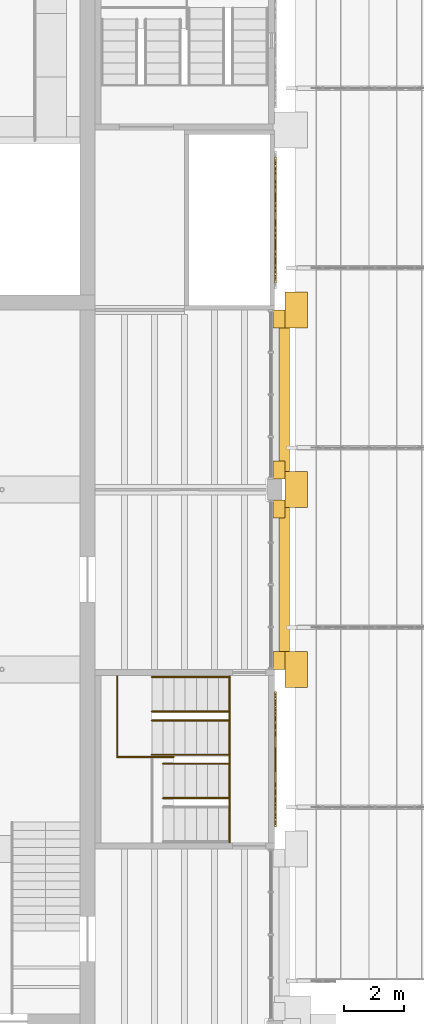
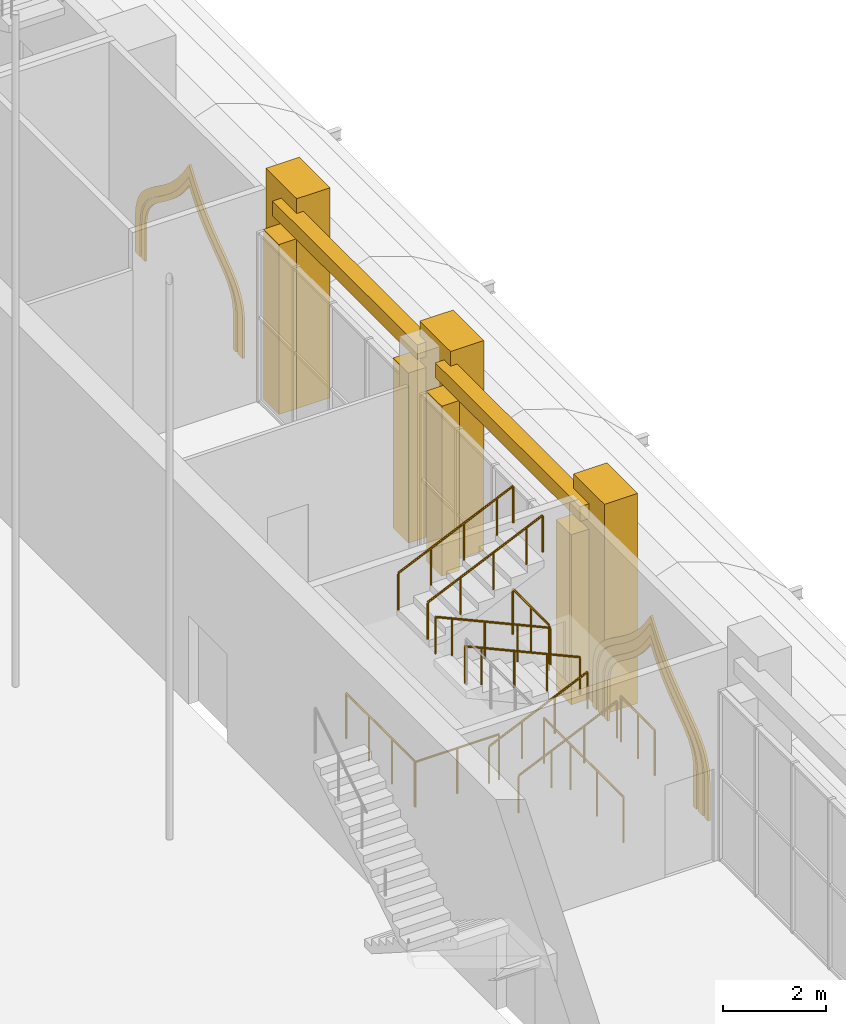
# One storey, part 65 of 80: 14 coverings, 11 railings.
"""IFC4 building model written with IfcOpenShell, lengths in metres."""

from ifc_helpers import new_model, si_unit, direction, frame, origin, origin_2d, place, context, subcontext, project, spatial, polyline, rectangle, circle, outline, extrude, material, layer, layer_set, type_object, element, save


model = new_model("IFC4")

# Units and contexts
model_context = context("Model", 3, precision=1e-05, world=origin(), true_north=direction((0.0, 1.0)))
body_context = subcontext(model_context, "Body", "Model", "MODEL_VIEW")
ifc_project = project(units=[si_unit("LENGTHUNIT", "METRE"), si_unit("AREAUNIT", "SQUARE_METRE"), si_unit("VOLUMEUNIT", "CUBIC_METRE"), si_unit("PLANEANGLEUNIT", "RADIAN"), si_unit("MASSUNIT", "GRAM", prefix="KILO")], contexts=[model_context])

# Site, building, storey
site_placement = place(None, origin())
site = spatial("IfcSite", under=ifc_project, at=site_placement, CompositionType="ELEMENT")
building_placement = place(site_placement, origin())
building = spatial("IfcBuilding", under=site, at=building_placement, Name="Saffron Lane Theatres", CompositionType="ELEMENT")
storey_placement = place(building_placement, frame((0.0, 0.0, 7.0)))
storey = spatial("IfcBuildingStorey", under=building, at=storey_placement, Name="L01", CompositionType="ELEMENT", Elevation=7.0)

# Coverings
ifc_material_1 = material(Name="Masonry sandstone", Category="masonry")
ifc_layer_1 = layer(ifc_material_1, 0.050048828125)
ifc_layer_set_1 = layer_set([ifc_layer_1], Name="Masonry sandstone")
covering_type_1 = type_object("IfcCoveringType", Name="EX-ARCH FRAME RING SANDSTONE 50", PredefinedType="CLADDING", material=ifc_layer_set_1)
covering_1_placement = place(storey_placement, frame((54.0, 37.2099609375, 1.2958984375), z_axis=(-1.0, 0.0, 0.0), x_axis=(0.0, 0.06442827163, 0.997922340573)))
element("IfcCovering", 1, at=covering_1_placement, inside=storey, type_object=covering_type_1, Name="Arch recess ring L01", PredefinedType="CLADDING", context=body_context, shape_type="SweptSolid", body=[
    extrude(outline(polyline([(0.0, 0.0), (0.17052029873114202, 1.734723475976807e-18), (0.3242466721669218, 0.024081254977071236), (0.46344242900309285, 0.06940650212296195), (0.5880131918886352, 0.13451394113409834), (0.7023363221821465, 0.21520657625605405), (0.8097754985831224, 0.31053329351799586), (0.9118316705185227, 0.41721675201932407), (1.013479573024326, 0.5327339305761084), (1.1188295145103184, 0.6563301599259349), (1.228274384393338, 0.786512180648223), (1.3482821771299438, 0.9211498609758806), (1.4813912939168246, 1.0578774753100109), (1.6295508018254126, 1.196569187182587), (1.7967137136804603, 1.3340339934919052), (1.986958878774747, 1.469029958207694), (2.2768445051640707, 1.6467673279258968), (2.012220549731055, 1.8603051727976225), (1.8409137730747478, 2.018643802332316), (1.692815086125706, 2.1764626573449113), (1.563719803123124, 2.333054606794249), (1.4492974018381697, 2.4857634525677375), (1.3475988151994112, 2.6347150311334024), (1.2558025099571002, 2.7778896671794207), (1.167220277835631, 2.914006625097878), (1.0812704747161264, 3.041635563702207), (0.9937798739547866, 3.160556618719107), (0.8994906084625739, 3.2689074104217855), (0.7964927602914423, 3.3636308117286897), (0.6813282733908765, 3.4442161363070785), (0.5491164405301731, 3.5070641116256507), (0.39976288435831203, 3.550712937380834), (0.2306582458924675, 3.5726399419344412), (-0.6634762731268586, 3.630367421641571), (-0.6712152159104848, 3.510499796748517), (0.21902116896597779, 3.4530239899774404), (0.37503252293367106, 3.4329209151187268), (0.50685251501477, 3.394318481277149), (0.6205328306841129, 3.340006413039703), (0.7222114932154338, 3.270322371595594), (0.8140812030640937, 3.185124790918292), (0.8998751087815435, 3.0853958945498916), (0.9836171809786733, 2.9728330766257725), (1.06683213819307, 2.84831649333063), (1.1541962033948943, 2.712278183204689), (1.248122290858553, 2.5679874475964257), (1.3515811898667036, 2.415986431955586), (1.4686755188227527, 2.2591906973371945), (1.6025567821592739, 2.097152126096779), (1.7564159829779704, 1.933823731059093), (1.9331924514444936, 1.7692603909060247), (2.069268862056587, 1.6601689117707128), (1.9202942134717833, 1.569481016084268), (1.723824337759122, 1.4290153595582635), (1.5502402705772806, 1.2868274911490194), (1.396634140877615, 1.143349798942504), (1.2603497505475334, 1.0029128051675502), (1.1382041360374564, 0.8654773607007713), (1.0265036474650626, 0.734462372469297), (0.9223718728987153, 0.6107874953269541), (0.8238363257020991, 0.4980051626752776), (0.7263151602560739, 0.39714513627761755), (0.6284094944910791, 0.3092763270207095), (0.5263470307322774, 0.23659947491203817), (0.41655191601325103, 0.1805686902487979), (0.29683144987863896, 0.14132553905751855), (0.16114198640572697, 0.11999416045256957), (0.0038408086407626125, 0.12011929782910696), (-0.8863955762357, 0.17759510460018418), (-0.8941345190193262, 0.057727479707130096), (0.0, 0.0)])), origin(), (0.0, 0.0, -1.0), 0.050048828125),
])
covering_2_placement = place(storey_placement, frame((54.0, 36.949951171875, 1.297119140625), z_axis=(-1.0, 0.0, 0.0), x_axis=(0.0, 0.067277250526, 0.997734319126)))
element("IfcCovering", 2, at=covering_2_placement, inside=storey, type_object=covering_type_1, Name="Arch recess ring L01", PredefinedType="CLADDING", context=body_context, shape_type="SweptSolid", body=[
    extrude(outline(polyline([(0.0, 0.0), (0.19233029031026627, -1.734723475976807e-18), (0.3686361813310119, 0.027262893416721473), (0.5275519096710343, 0.07967851847782519), (0.6708947742924419, 0.15516677446133414), (0.801502910238719, 0.24864238533224844), (0.9231258912040249, 0.3576502620084015), (1.0375317408204932, 0.47937954132705035), (1.1516202449156105, 0.6109180202958803), (1.2681994774824994, 0.7503634852332024), (1.390304674884545, 0.8955537098670809), (1.5227911616168623, 1.045916604517425), (1.6694413615935944, 1.199484255062579), (1.8330304985878798, 1.3538672728603438), (2.016903096883326, 1.5078613564498122), (2.2254737921748915, 1.6579877914978223), (2.5852450627263814, 1.8803809916168035), (2.258586813918305, 2.1490601516926007), (2.0721243166756658, 2.326802465068287), (1.9105241675290636, 2.5031130047050683), (1.7691417792436548, 2.6780602602125323), (1.6444355262159311, 2.849925483288521), (1.5333345326929018, 3.016713487930638), (1.4318264232205393, 3.1769819635369636), (1.3350887235237119, 3.3317901747481), (1.2396262941592646, 3.4764798983888334), (1.142598210914092, 3.6124661731803407), (1.0367104853209044, 3.7368151025888094), (0.9198337413277493, 3.846978625211365), (0.7879227532606154, 3.941027255485577), (0.6374823816763479, 4.014302770236232), (0.4664325258529695, 4.064987870501222), (0.27584329720183115, 4.090808143408288), (-0.619340692736567, 4.151170422628053), (-0.632792857819829, 3.951672276298924), (0.2563014451121856, 3.8917206248289538), (0.4241248514992556, 3.8693930121031563), (0.5646332999700076, 3.8266400003332506), (0.6859993674224233, 3.7685384980453724), (0.7931577147319555, 3.6920641156468856), (0.8911443426036292, 3.5993242257405083), (0.9838402256115377, 3.4898124390861174), (1.0746555884792561, 3.363298804143827), (1.16632195798919, 3.224003644458316), (1.2624602961251856, 3.071193408419198), (1.3657200041196895, 2.9078704821698738), (1.480373470016977, 2.735704338682526), (1.6104494943810679, 2.55638087603933), (1.7586139035544, 2.3731460678639413), (1.9292841224015533, 2.1861914371370204), (2.126083902075996, 1.9984536695620012), (2.2420303030465982, 1.9035239715952113), (2.114389223761854, 1.8250193836201942), (1.8941672372391434, 1.6654014043510899), (1.6999434106637878, 1.5030515883918443), (1.5285210457421055, 1.3413665245256619), (1.3755484180494837, 1.1811290396929053), (1.2388196043232536, 1.0259136097170671), (1.1145686057592639, 0.8779317362000586), (0.9987858360731082, 0.7394113458537825), (0.8892489468921257, 0.6136833270214762), (0.7822712757925029, 0.5005068813925057), (0.6757125999515381, 0.40443083471138436), (0.5661626946456565, 0.32568513851799763), (0.4497077350807808, 0.2642890070919583), (0.3216402227517218, 0.22300681743565523), (0.17674626991316658, 0.20072197197738367), (0.0073624780768782, 0.19990877407892305), (-0.8817318248551363, 0.2598604255488935), (-0.8951839899383982, 0.06036227921976477), (0.0, 0.0)])), origin(), (0.0, 0.0, -1.0), 0.050048828125),
])
covering_3_placement = place(storey_placement, frame((54.0, 36.75, 1.2958984375), z_axis=(-1.0, 0.0, 0.0), x_axis=(0.0, 0.067065646472, 0.997748565052)))
element("IfcCovering", 3, at=covering_3_placement, inside=storey, type_object=covering_type_1, Name="Arch recess ring L01", PredefinedType="CLADDING", context=body_context, shape_type="SweptSolid", body=[
    extrude(outline(polyline([(0.0, 0.0), (0.2074984191926236, -1.734723475976807e-18), (0.39502209255405735, 0.030460934429599087), (0.5642577725688886, 0.08735436036579791), (0.717006825863624, 0.16835697159344967), (0.8571974438937694, 0.27002373702473836), (0.9873453927117799, 0.38973863913971574), (1.112807662625058, 0.5234712242409627), (1.2368962863562354, 0.6695307182950527), (1.364579312989259, 0.8253809602518462), (1.4999159215703994, 0.9895256466896439), (1.6475487029811116, 1.1582270352158286), (1.809442758336358, 1.3315977291979), (1.9914586333089161, 1.5058181189990125), (2.196681143111999, 1.6794573949928495), (2.42863316452881, 1.85032122778061), (2.776077461779361, 2.068477613157778), (2.4609543525500626, 2.3311697793950295), (2.253955467173975, 2.531538567002596), (2.073817081002381, 2.7310806390702025), (1.9167543420705462, 2.928092869664417), (1.7795187006768023, 3.1215701588289084), (1.655791154580694, 3.3085115693691134), (1.54363934956495, 3.48929167983406), (1.4379622381804387, 3.6608276857849567), (1.334536906892433, 3.8221799810608545), (1.2281005845377642, 3.971500089463132), (1.1151447570076538, 4.107555693526036), (0.9898212305293306, 4.22706951819905), (0.8492867700734272, 4.327785761836828), (0.6892529683098338, 4.407790454445362), (0.5074272551466756, 4.462099173491861), (0.3017954091224526, 4.4898685427340315), (-0.5921834077088134, 4.549959099997454), (-0.6015653938973532, 4.410381480911809), (0.2885159676016784, 4.350552898829917), (0.4771455668939128, 4.324660443881734), (0.6383663000720692, 4.276875251559516), (0.7770827331991319, 4.207357034802879), (0.9003937617368865, 4.119788383334645), (1.0125694087921775, 4.012169438367741), (1.1171836822691663, 3.886706881200974), (1.2179231934395136, 3.74364229201819), (1.3196781456917779, 3.586562030623556), (1.4243808932432305, 3.4150915184680417), (1.538415932129709, 3.233206056579271), (1.6638302307104045, 3.0422362031160675), (1.804928569764272, 2.844339519030701), (1.9667137560473695, 2.6411372630123773), (2.1531978590338507, 2.434072596587418), (2.367842283260377, 2.2273173021695953), (2.5385762774713267, 2.0844417257822565), (2.350257199200182, 1.9657006129933607), (2.109873713388342, 1.789530921019154), (1.8973558267373267, 1.6092859638033192), (1.7098315788689158, 1.4295632334296131), (1.5435181285927948, 1.2523298417874182), (1.3936746443344354, 1.0798619855197642), (1.2563238142917952, 0.9148739228396727), (1.1296151514918304, 0.7589581870874968), (1.0077536040571458, 0.616908751733141), (0.8888395646681613, 0.4895873772421637), (0.7683102989132307, 0.3782795229756905), (0.6428066644976057, 0.2876154279151693), (0.5088201473125074, 0.216362774594851), (0.3620479773534, 0.1660342398852799), (0.1958824626238666, 0.14025496281157382), (0.005484530856305384, 0.13983959426717443), (-0.8845968306427262, 0.19966817634906692), (-0.893978816831266, 0.06009055726342237), (0.0, 0.0)])), origin(), (0.0, 0.0, -1.0), 0.050048828125),
])
covering_4_placement = place(storey_placement, frame((54.0, 55.159912109375, 1.236083984375), z_axis=(-1.0, 0.0, 0.0), x_axis=(0.0, 0.070052199931, 0.997543327021)))
element("IfcCovering", 4, at=covering_4_placement, inside=storey, type_object=covering_type_1, Name="Arch recess ring L01", PredefinedType="CLADDING", context=body_context, shape_type="SweptSolid", body=[
    extrude(outline(polyline([(0.0, 0.0), (0.17425621553607237, 0.0), (0.3332302426515908, 0.02285521433109288), (0.4759650205291351, 0.0688775941960976), (0.6048658571272827, 0.13398235750722476), (0.7227868323104211, 0.21699010980469396), (0.8338893477600147, 0.31442697343956955), (0.9399164992321657, 0.42323363749297804), (1.0443845787937367, 0.5412052363362231), (1.1527198955253422, 0.6689396764413744), (1.2672593470340636, 0.8013780123153483), (1.392194435556024, 0.9389601225182602), (1.5283625037935262, 1.0796692698880261), (1.682706518319837, 1.2213046934170395), (1.855786075810189, 1.3613796768284432), (2.0520191167641535, 1.500073455243155), (2.349264146322142, 1.679643102779874), (2.0800331557015133, 1.8989933697111585), (1.9051099392383608, 2.0637514920456117), (1.7533060010630737, 2.226641327680726), (1.620271811027575, 2.388457804900878), (1.5051057206991554, 2.5468168229564525), (1.400625327274315, 2.700509570936527), (1.3057196466447687, 2.847656132382009), (1.216299792101637, 2.9892778738407233), (1.1293447625228843, 3.1206921067528115), (1.0395650695308871, 3.243249251456792), (0.943170779652801, 3.3552575199601846), (0.8380083350235519, 3.4539312427500968), (0.719471666676955, 3.536412235341052), (0.5845698740456321, 3.6019315653822406), (0.4303503663590429, 3.6467807077190995), (0.25780440961035506, 3.6711347928514564), (-0.5763230061728635, 3.729711156319379), (-0.5847374794067958, 3.609889057468184), (0.2452497419039222, 3.5516034379941166), (0.40521708732315365, 3.5293563916878177), (0.5407140500124862, 3.489737904826296), (0.6590468555116269, 3.4322348997733356), (0.7621426234222006, 3.359893689481027), (0.8572904766960407, 3.27195765546183), (0.9453065508264871, 3.169593194208742), (1.0303310402860402, 3.052509561727907), (1.1164487271624894, 2.923112065977903), (1.2047876981519938, 2.7835241642691466), (1.3007742623351675, 2.634343763073707), (1.40699775151611, 2.477591704174759), (1.5257697514718511, 2.314818850240701), (1.6623585433710502, 2.147857914588097), (1.820066978983904, 1.9784348903851734), (2.0004931241213453, 1.8083954889152767), (2.1417673409944626, 1.6942145076483908), (1.9859217192528282, 1.6008986835875971), (1.7835016461096211, 1.457744550255386), (1.6036624617880104, 1.3120257128456134), (1.4450797418830457, 1.1657931136961102), (1.3047242760305109, 1.021217413259825), (1.177635629643476, 0.8808496335440211), (1.0617416531751458, 0.7465484837988279), (0.9547608614031491, 0.6206768575648959), (0.851403765949863, 0.5045851751807439), (0.750918537052353, 0.4015078780650739), (0.6493914185015683, 0.3114750667725437), (0.5428874468794945, 0.23769997551289157), (0.4306931022200347, 0.18047745290106257), (0.3054850563956079, 0.14007703572194855), (0.1657808570893092, 0.11978447315787275), (0.0042742787614316, 0.12011284284505058), (-0.8257129425492863, 0.17839846231911785), (-0.8341274157832186, 0.05857636346792266), (0.0, 0.0)])), origin(), (0.0, 0.0, -1.0), 0.050048828125),
])
covering_5_placement = place(storey_placement, frame((54.0, 54.89990234375, 1.237060546875), z_axis=(-1.0, 0.0, 0.0), x_axis=(0.0, 0.066765192838, 0.997768715197)))
element("IfcCovering", 5, at=covering_5_placement, inside=storey, type_object=covering_type_1, Name="Arch recess ring L01", PredefinedType="CLADDING", context=body_context, shape_type="SweptSolid", body=[
    extrude(outline(polyline([(0.0, 0.0), (0.19746207851001016, 1.734723475976807e-18), (0.37770038901075476, 0.02782335815376883), (0.5406334310226948, 0.08225209507263866), (0.6871694821122494, 0.15857638860013262), (0.8208483797740672, 0.25484656615349843), (0.9445760688841597, 0.3669531924421973), (1.0629962656544885, 0.4911599232598029), (1.1794215117978764, 0.6257769819972044), (1.2991131160490152, 0.7689841912780281), (1.4244092366097936, 0.9191569748767947), (1.5600024899798968, 1.0732897762202782), (1.7109757893999142, 1.2305531015389473), (1.877913221639876, 1.3887056876454766), (2.0678301668663317, 1.5465440441253384), (2.2815380076311382, 1.7015670118175659), (2.6475457945106817, 1.9276348530849203), (2.314920604050358, 2.200451369415909), (2.1237720960219777, 2.3825650965069367), (1.9565774844910262, 2.564299393587666), (1.8121993849874904, 2.7432835022643918), (1.683524616769374, 2.9192593376852414), (1.5696756913403056, 3.090083437238335), (1.4655044950760647, 3.25561091118227), (1.3659598093669945, 3.4134882067801335), (1.2685078748603114, 3.562416749724603), (1.1676917816704306, 3.7012935668592486), (1.0600033869336354, 3.8288852842603784), (0.9403425717525447, 3.94210756155788), (0.8052817881820971, 4.037274765954816), (0.651052997384934, 4.11292622774567), (0.4761285181501395, 4.164515125733044), (0.28042684999817413, 4.19082348052827), (-0.5548634147502236, 4.246716509396192), (-0.5682294933946379, 4.046967889654668), (0.2609708744104207, 3.9914823631844407), (0.43385603053497, 3.9679241967932186), (0.5783002359830207, 3.925226095562678), (0.7024725554870431, 3.8647989233497295), (0.8134372695013108, 3.7861699773730466), (0.9145078252995301, 3.691319719285429), (1.0102310440791, 3.5787204678759603), (1.1035952767564547, 3.449151005504681), (1.1972483833557312, 3.3056150776230497), (1.2961111817193247, 3.14851746994611), (1.4021170443340791, 2.9811544240907772), (1.5195212017928204, 2.804954009570754), (1.6525951847842812, 2.621587891777475), (1.8054484285990007, 2.4339620155869515), (1.9810692841534128, 2.242855163359225), (2.182820099008948, 2.0509785843802946), (2.3043192027840873, 1.9506016882190418), (2.170595027078081, 1.8682816760801206), (1.9450134720053098, 1.7040210818125767), (1.7455618762336615, 1.5389907607938302), (1.5690082929689688, 1.3724282307597486), (1.4126903732129532, 1.2084266269049622), (1.2728572837850487, 1.049439113663599), (1.1454982955310469, 0.8976915596879602), (1.0265863792008323, 0.7551662377526137), (0.9146445649929791, 0.6253875908171842), (0.8048498356405397, 0.5094124084330287), (0.69497813361298, 0.41057043796976217), (0.5821715087611286, 0.33003166408921236), (0.4617201389285084, 0.26688780922496025), (0.3306039785677537, 0.22354313752340954), (0.18175874722459093, 0.20047035176588712), (0.007276181701075103, 0.20015612213921966), (-0.8219241861039834, 0.2556416486094466), (-0.8352902647483977, 0.05589302886792252), (0.0, 0.0)])), origin(), (0.0, 0.0, -1.0), 0.050048828125),
])
ifc_material_2 = material(Name="Masonry sandstone", Category="masonry")
ifc_layer_2 = layer(ifc_material_2, 1.199951171875)
ifc_layer_set_2 = layer_set([ifc_layer_2], Name="Masonry sandstone")
covering_type_2 = type_object("IfcCoveringType", Name="EX-FLANK BUTTRESS PIER SANDSTONE 1200", PredefinedType="CLADDING", material=ifc_layer_set_2)
for number, where, z_axis, x_axis, name in (
    (6, (54.72509765625, 42.0, 0.0), (0.0, 0.0, 1.0), (0.0, 1.0, 0.0), "Flank buttress east L01"),
    (7, (54.72509765625, 48.0, 0.0), (0.0, 0.0, 1.0), (0.0, 1.0, 0.0), "Flank buttress east L01"),
    (8, (54.72509765625, 54.0, 0.0), (0.0, 0.0, 1.0), (0.0, 1.0, 0.0), "Flank buttress east L01"),
):
    element("IfcCovering", number, at=place(storey_placement, frame(where, z_axis=z_axis, x_axis=x_axis)), inside=storey, type_object=covering_type_2, Name=name, PredefinedType="CLADDING", context=body_context, shape_type="SweptSolid", body=[
        extrude(rectangle(XDim=1.199951171875, YDim=0.75, at=origin_2d()), origin(), (0.0, 0.0, 1.0), 5.0),
    ])
ifc_material_3 = material(Name="Masonry sandstone", Category="masonry")
ifc_layer_3 = layer(ifc_material_3, 0.39990234375)
ifc_layer_set_3 = layer_set([ifc_layer_3], Name="Masonry sandstone")
covering_type_3 = type_object("IfcCoveringType", Name="EX-PILASTER PIER SANDSTONE 400", PredefinedType="CLADDING", material=ifc_layer_set_3)
for number, where, z_axis, x_axis, name in (
    (9, (54.14990234375, 53.699951171875, 0.0), (0.0, 0.0, 1.0), (0.0, -1.0, 0.0), "Pilaster pier L01"),
    (10, (54.14990234375, 48.64990234375, 0.0), (0.0, 0.0, 1.0), (0.0, -1.0, 0.0), "Pilaster pier L01"),
    (11, (54.14990234375, 47.35009765625, 0.0), (0.0, 0.0, 1.0), (0.0, -1.0, 0.0), "Pilaster pier L01"),
    (12, (54.14990234375, 42.300048828125, 0.0), (0.0, 0.0, 1.0), (0.0, -1.0, 0.0), "Pilaster pier L01"),
):
    element("IfcCovering", number, at=place(storey_placement, frame(where, z_axis=z_axis, x_axis=x_axis)), inside=storey, type_object=covering_type_3, Name=name, PredefinedType="CLADDING", context=body_context, shape_type="SweptSolid", body=[
        extrude(rectangle(XDim=0.60009765625, YDim=0.39990234375, at=origin_2d()), origin(), (0.0, 0.0, 1.0), 4.050048828125),
    ])
ifc_material_4 = material(Name="Masonry sandstone", Category="masonry")
ifc_layer_4 = layer(ifc_material_4, 0.300048828125)
ifc_layer_set_4 = layer_set([ifc_layer_4], Name="Masonry sandstone")
covering_type_4 = type_object("IfcCoveringType", Name="EX-STRING COURSE SANDSTONE 350", PredefinedType="CLADDING", material=ifc_layer_set_4)
for number, where, z_axis, x_axis, name in (
    (13, (54.324951171875, 51.175048828125, 4.300048828125), (0.0, 0.0, 1.0), (0.0, -1.0, 0.0), "String course L01"),
    (14, (54.324951171875, 44.824951171875, 4.300048828125), (0.0, 0.0, 1.0), (0.0, -1.0, 0.0), "String course L01"),
):
    element("IfcCovering", number, at=place(storey_placement, frame(where, z_axis=z_axis, x_axis=x_axis)), inside=storey, type_object=covering_type_4, Name=name, PredefinedType="CLADDING", context=body_context, shape_type="SweptSolid", body=[
        extrude(rectangle(XDim=5.64990234375, YDim=0.35009765625, at=origin_2d()), origin(), (0.0, 0.0, 1.0), 0.35009765625),
    ])

# Railings
ifc_material_5 = material(Name="Steel Grade 350", Category="steel")
railing_type_1 = type_object("IfcRailingType", Name="VC-GUARD 1100", PredefinedType="GUARDRAIL", material=ifc_material_5)
railing_1_placement = place(storey_placement, frame((48.75, 39.10009765625, 1.166748046875)))
element("IfcRailing", 15, at=railing_1_placement, inside=storey, type_object=railing_type_1, Name="Stage East Stair landing guard 2N1s", PredefinedType="GUARDRAIL", context=body_context, shape_type="SweptSolid", body=[
    extrude(circle(Radius=0.02392578125, at=origin_2d()), frame((0.0, 0.0, 1.076171875), z_axis=(0.0, 1.0, 0.0), x_axis=(-1.0, 0.0, 0.0)), (0.0, 0.0, 1.0), 2.669921875),
    extrude(circle(Radius=0.02099609375, at=origin_2d()), origin(), (0.0, 0.0, 1.0), 1.052001953125),
    extrude(circle(Radius=0.02099609375, at=origin_2d()), frame((0.0, 0.889892578125, 0.0)), (0.0, 0.0, 1.0), 1.052001953125),
    extrude(circle(Radius=0.02099609375, at=origin_2d()), frame((0.0, 1.780029296875, 0.0)), (0.0, 0.0, 1.0), 1.052001953125),
    extrude(circle(Radius=0.02099609375, at=origin_2d()), frame((0.0, 2.669921875, 0.0)), (0.0, 0.0, 1.0), 1.052001953125),
])
railing_2_placement = place(storey_placement, frame((50.6298828125, 39.070068359375, 1.166748046875)))
element("IfcRailing", 16, at=railing_2_placement, inside=storey, type_object=railing_type_1, Name="Stage East Stair landing guard 2N1e", PredefinedType="GUARDRAIL", context=body_context, shape_type="SweptSolid", body=[
    extrude(circle(Radius=0.02392578125, at=origin_2d()), frame((0.0, 0.0, 1.076171875), z_axis=(-1.0, 0.0, 0.0), x_axis=(0.0, -1.0, 0.0)), (0.0, 0.0, 1.0), 1.8798828125),
    extrude(circle(Radius=0.02099609375, at=origin_2d()), origin(), (0.0, 0.0, 1.0), 1.052001953125),
    extrude(circle(Radius=0.02099609375, at=origin_2d()), frame((-0.93994140625, 0.0, 0.0)), (0.0, 0.0, 1.0), 1.052001953125),
    extrude(circle(Radius=0.02099609375, at=origin_2d()), frame((-1.8798828125, 0.0, 0.0)), (0.0, 0.0, 1.0), 1.052001953125),
])
railing_3_placement = place(storey_placement, frame((52.5, 36.22998046875, 2.333251953125)))
element("IfcRailing", 17, at=railing_3_placement, inside=storey, type_object=railing_type_1, Name="Stage East Stair landing guard 2S2w", PredefinedType="GUARDRAIL", context=body_context, shape_type="SweptSolid", body=[
    extrude(circle(Radius=0.02392578125, at=origin_2d()), frame((0.0, 0.0, 1.076171875), z_axis=(0.0, 1.0, 0.0), x_axis=(-1.0, 0.0, 0.0)), (0.0, 0.0, 1.0), 1.320068359375),
    extrude(circle(Radius=0.02099609375, at=origin_2d()), origin(), (0.0, 0.0, 1.0), 1.052001953125),
    extrude(circle(Radius=0.02099609375, at=origin_2d()), frame((0.0, 0.66015625, 0.0)), (0.0, 0.0, 1.0), 1.052001953125),
    extrude(circle(Radius=0.02099609375, at=origin_2d()), frame((0.0, 1.320068359375, 0.0)), (0.0, 0.0, 1.0), 1.052001953125),
])
railing_4_placement = place(storey_placement, frame((52.5, 40.35009765625, 2.333251953125)))
element("IfcRailing", 18, at=railing_4_placement, inside=storey, type_object=railing_type_1, Name="Stage East Stair landing guard 2S2e", PredefinedType="GUARDRAIL", context=body_context, shape_type="SweptSolid", body=[
    extrude(circle(Radius=0.02392578125, at=origin_2d()), frame((0.0, 0.0, 1.076171875), z_axis=(0.0, 1.0, 0.0), x_axis=(-1.0, 0.0, 0.0)), (0.0, 0.0, 1.0), 1.419921875),
    extrude(circle(Radius=0.02099609375, at=origin_2d()), origin(), (0.0, 0.0, 1.0), 1.052001953125),
    extrude(circle(Radius=0.02099609375, at=origin_2d()), frame((0.0, 0.7099609375, 0.0)), (0.0, 0.0, 1.0), 1.052001953125),
    extrude(circle(Radius=0.02099609375, at=origin_2d()), frame((0.0, 1.419921875, 0.0)), (0.0, 0.0, 1.0), 1.052001953125),
])
railing_5_placement = place(storey_placement, frame((52.5, 37.449951171875, 0.0)))
element("IfcRailing", 19, at=railing_5_placement, inside=storey, type_object=railing_type_1, Name="Stage East Stair guard L01", PredefinedType="GUARDRAIL", context=body_context, shape_type="SweptSolid", body=[
    extrude(circle(Radius=0.02392578125, at=origin_2d()), frame((0.0, 0.0, 1.076171875), z_axis=(0.0, 1.0, 0.0), x_axis=(-1.0, 0.0, 0.0)), (0.0, 0.0, 1.0), 3.10009765625),
    extrude(circle(Radius=0.02099609375, at=origin_2d()), origin(), (0.0, 0.0, 1.0), 1.052001953125),
    extrude(circle(Radius=0.02099609375, at=origin_2d()), frame((0.0, 1.033447265625, 0.0)), (0.0, 0.0, 1.0), 1.052001953125),
    extrude(circle(Radius=0.02099609375, at=origin_2d()), frame((0.0, 2.066650390625, 0.0)), (0.0, 0.0, 1.0), 1.052001953125),
    extrude(circle(Radius=0.02099609375, at=origin_2d()), frame((0.0, 3.10009765625, 0.0)), (0.0, 0.0, 1.0), 1.052001953125),
])
ifc_material_6 = material(Name="Steel Grade 350", Category="steel")
railing_type_2 = type_object("IfcRailingType", Name="VC-HANDRAIL 900", PredefinedType="HANDRAIL", material=ifc_material_6)
for number, where, name in (
    (20, (50.280029296875, 37.699951171875, 1.333251953125), "Stage East Stair handrail 2.2a"),
    (21, (50.280029296875, 38.85009765625, 1.333251953125), "Stage East Stair handrail 2.2b"),
):
    element("IfcRailing", number, at=place(storey_placement, frame(where)), inside=storey, type_object=railing_type_2, Name=name, PredefinedType="HANDRAIL", context=body_context, shape_type="SweptSolid", body=[
        extrude(circle(Radius=0.02392578125, at=origin_2d()), frame((0.0, 0.0, 0.8759765625), z_axis=(0.911690610408, 0.0, 0.410877391559), x_axis=(0.0, 1.0, 0.0)), (0.0, 0.0, 1.0), 0.811767578125),
        extrude(circle(Radius=0.02392578125, at=origin_2d()), frame((0.739990234375, 0.0, 1.20947265625), z_axis=(0.911803263409, 0.0, 0.410627335715), x_axis=(0.0, 1.0, 0.0)), (0.0, 0.0, 1.0), 0.8115234375),
        extrude(circle(Radius=0.02392578125, at=origin_2d()), frame((1.47998046875, 0.0, 1.54248046875), z_axis=(0.911803263409, 0.0, 0.410627335715), x_axis=(0.0, 1.0, 0.0)), (0.0, 0.0, 1.0), 0.8115234375),
        extrude(circle(Radius=0.02099609375, at=origin_2d()), origin(), (0.0, 0.0, 1.0), 0.851806640625),
        extrude(circle(Radius=0.02099609375, at=origin_2d()), frame((0.739990234375, 0.0, 0.33349609375)), (0.0, 0.0, 1.0), 0.851806640625),
        extrude(circle(Radius=0.02099609375, at=origin_2d()), frame((1.47998046875, 0.0, 0.666748046875)), (0.0, 0.0, 1.0), 0.851806640625),
        extrude(circle(Radius=0.02099609375, at=origin_2d()), frame((2.219970703125, 0.0, 1.0)), (0.0, 0.0, 1.0), 0.851806640625),
    ])
for number, where, name in (
    (22, (52.5, 39.14990234375, 2.5), "Stage East Stair handrail 2.3a"),
    (23, (52.5, 40.300048828125, 2.5), "Stage East Stair handrail 2.3b"),
):
    element("IfcRailing", number, at=place(storey_placement, frame(where)), inside=storey, type_object=railing_type_2, Name=name, PredefinedType="HANDRAIL", context=body_context, shape_type="SweptSolid", body=[
        extrude(circle(Radius=0.02392578125, at=origin_2d()), frame((0.0, 0.0, 0.8759765625), z_axis=(-0.911803263409, 0.0, 0.410627335715), x_axis=(0.0, -1.0, 0.0)), (0.0, 0.0, 1.0), 0.8115234375),
        extrude(circle(Radius=0.02392578125, at=origin_2d()), frame((-0.739990234375, 0.0, 1.208984375), z_axis=(-0.911690610408, 0.0, 0.410877391559), x_axis=(0.0, -1.0, 0.0)), (0.0, 0.0, 1.0), 0.811767578125),
        extrude(circle(Radius=0.02392578125, at=origin_2d()), frame((-1.47998046875, 0.0, 1.54248046875), z_axis=(-0.911803263409, 0.0, 0.410627335715), x_axis=(0.0, -1.0, 0.0)), (0.0, 0.0, 1.0), 0.8115234375),
        extrude(circle(Radius=0.02392578125, at=origin_2d()), frame((-2.219970703125, 0.0, 1.8759765625), z_axis=(-0.911741368748, 0.0, 0.410764745947), x_axis=(0.0, -1.0, 0.0)), (0.0, 0.0, 1.0), 0.406005859375),
        extrude(circle(Radius=0.02099609375, at=origin_2d()), origin(), (0.0, 0.0, 1.0), 0.851806640625),
        extrude(circle(Radius=0.02099609375, at=origin_2d()), frame((-0.739990234375, 0.0, 0.333251953125)), (0.0, 0.0, 1.0), 0.851806640625),
        extrude(circle(Radius=0.02099609375, at=origin_2d()), frame((-1.47998046875, 0.0, 0.666748046875)), (0.0, 0.0, 1.0), 0.851806640625),
        extrude(circle(Radius=0.02099609375, at=origin_2d()), frame((-2.219970703125, 0.0, 1.0)), (0.0, 0.0, 1.0), 0.851806640625),
        extrude(circle(Radius=0.02099609375, at=origin_2d()), frame((-2.590087890625, 0.0, 1.166748046875)), (0.0, 0.0, 1.0), 0.851806640625),
    ])
for number, where, name in (
    (24, (49.909912109375, 40.60009765625, 3.833251953125), "Stage East Stair handrail 2.4a"),
    (25, (49.909912109375, 41.75, 3.833251953125), "Stage East Stair handrail 2.4b"),
):
    element("IfcRailing", number, at=place(storey_placement, frame(where)), inside=storey, type_object=railing_type_2, Name=name, PredefinedType="HANDRAIL", context=body_context, shape_type="SweptSolid", body=[
        extrude(circle(Radius=0.02392578125, at=origin_2d()), frame((0.0, 0.0, 0.8759765625), z_axis=(0.911690610408, 0.0, 0.410877391559), x_axis=(0.0, 1.0, 0.0)), (0.0, 0.0, 1.0), 0.811767578125),
        extrude(circle(Radius=0.02392578125, at=origin_2d()), frame((0.739990234375, 0.0, 1.20947265625), z_axis=(0.911803263409, 0.0, 0.410627335715), x_axis=(0.0, 1.0, 0.0)), (0.0, 0.0, 1.0), 0.8115234375),
        extrude(circle(Radius=0.02392578125, at=origin_2d()), frame((1.47998046875, 0.0, 1.54248046875), z_axis=(0.911803263409, 0.0, 0.410627335715), x_axis=(0.0, 1.0, 0.0)), (0.0, 0.0, 1.0), 0.8115234375),
        extrude(circle(Radius=0.02392578125, at=origin_2d()), frame((2.219970703125, 0.0, 1.8759765625), z_axis=(0.911741368748, 0.0, 0.410764745947), x_axis=(0.0, 1.0, 0.0)), (0.0, 0.0, 1.0), 0.406005859375),
        extrude(circle(Radius=0.02099609375, at=origin_2d()), origin(), (0.0, 0.0, 1.0), 0.851806640625),
        extrude(circle(Radius=0.02099609375, at=origin_2d()), frame((0.739990234375, 0.0, 0.33349609375)), (0.0, 0.0, 1.0), 0.851806640625),
        extrude(circle(Radius=0.02099609375, at=origin_2d()), frame((1.47998046875, 0.0, 0.666748046875)), (0.0, 0.0, 1.0), 0.851806640625),
        extrude(circle(Radius=0.02099609375, at=origin_2d()), frame((2.219970703125, 0.0, 1.0)), (0.0, 0.0, 1.0), 0.851806640625),
        extrude(circle(Radius=0.02099609375, at=origin_2d()), frame((2.590087890625, 0.0, 1.166748046875)), (0.0, 0.0, 1.0), 0.851806640625),
    ])

save(model, "model.ifc")
